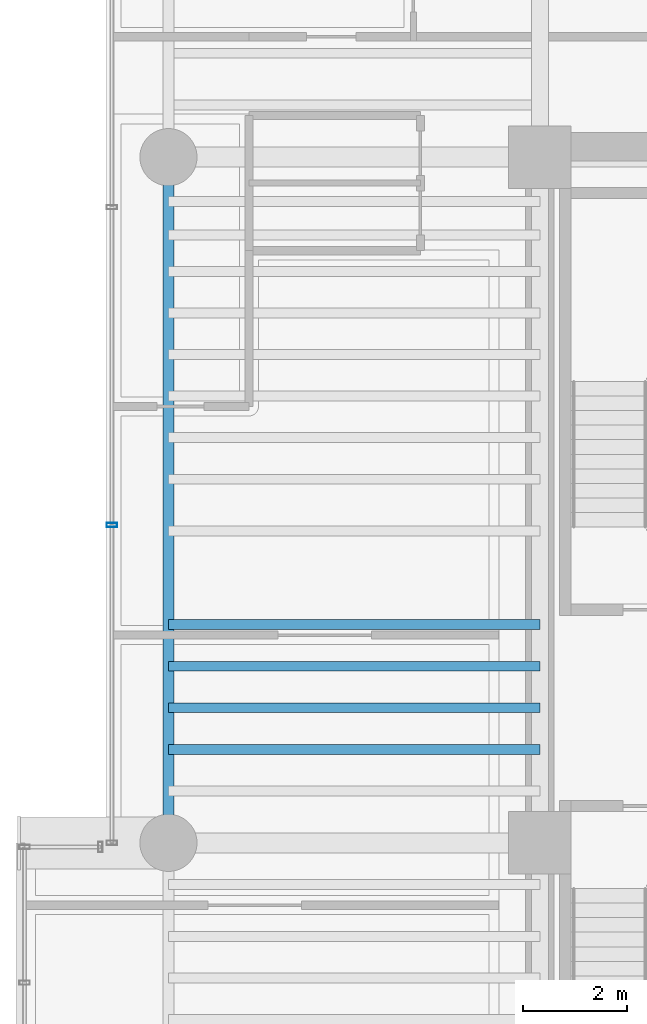
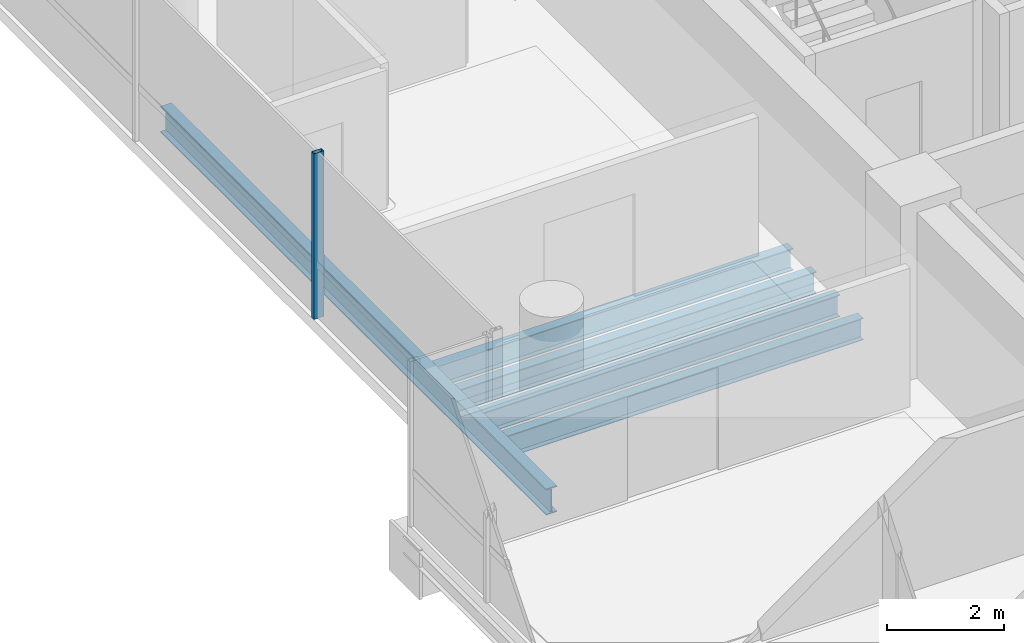
# One storey, part 8 of 34: 5 beams, 1 member, 1 element without a shape of its own.
"""IFC4 building model written with IfcOpenShell, lengths in metres."""

from ifc_helpers import new_model, si_unit, direction, frame, origin, origin_2d, place, context, subcontext, project, spatial, hollow_rectangle, i_section, extrude, source, transform, mapped, material, material_profile, profile_set, type_object, element, aggregate, save


model = new_model("IFC4")

# Units and contexts
model_context = context("Model", 3, precision=1e-05, world=origin(), true_north=direction((0.0, 1.0)))
body_context = subcontext(model_context, "Body", "Model", "MODEL_VIEW")
ifc_project = project(units=[si_unit("LENGTHUNIT", "METRE"), si_unit("AREAUNIT", "SQUARE_METRE"), si_unit("VOLUMEUNIT", "CUBIC_METRE"), si_unit("PLANEANGLEUNIT", "RADIAN"), si_unit("MASSUNIT", "GRAM", prefix="KILO")], contexts=[model_context])

# Site, building, storey
site_placement = place(None, origin())
site = spatial("IfcSite", under=ifc_project, at=site_placement, CompositionType="ELEMENT")
building_placement = place(site_placement, origin())
building = spatial("IfcBuilding", under=site, at=building_placement, Name="Valdorenza Pilgrim Sanctuary Tower", CompositionType="ELEMENT")
storey_placement = place(building_placement, frame((0.0, 0.0, 161.199951171875)))
storey = spatial("IfcBuildingStorey", under=building, at=storey_placement, Name="L41", CompositionType="ELEMENT", Elevation=161.199951171875)

# Beams
ifc_material_1 = material(Name="Steel ASTM A992 Grade 50", Category="steel")
ifc_material_profile_1 = material_profile(ifc_material_1, i_section(OverallWidth=0.214111328125, OverallDepth=0.549072265625, WebThickness=0.0146484375, FlangeThickness=0.023681640625, at=origin_2d()), Name="W21X93")
ifc_profile_set_1 = profile_set([ifc_material_profile_1], Name="Steel ASTM A992 Grade 50")
beam_type_1 = type_object("IfcBeamType", Name="STR-BM-SPN-W21A", PredefinedType="SPANDREL", material=ifc_profile_set_1)
shared_shape_1 = source(origin(), body_context, "Body", "SweptSolid", [
    extrude(i_section(OverallWidth=0.214111328125, OverallDepth=0.549072265625, WebThickness=0.0146484375, FlangeThickness=0.023681640625, at=origin_2d()), origin(), (0.0, 0.0, 1.0), 13.2001953125),
])
beam_placement = place(storey_placement, frame((-29.800048828125, -2.60009765625, -0.514404296875), z_axis=(0.0, 1.0, 0.0), x_axis=(-1.0, 0.0, 0.0)))
element("IfcBeam", 1, at=beam_placement, inside=storey, type_object=beam_type_1, Name="L41 Spandrel Beam WA-W-M0N1", PredefinedType="SPANDREL", context=body_context, shape_type="MappedRepresentation", body=[
    mapped(shared_shape_1, transform((0.0, 0.0, 0.0), x_axis=(1.0, 0.0, 0.0), y_axis=(0.0, 1.0, 0.0), z_axis=(0.0, 0.0, 1.0), scale=1.0)),
])
ifc_material_profile_2 = material_profile(ifc_material_1, i_section(OverallWidth=0.19091796875, OverallDepth=0.45703125, WebThickness=0.009033203125, FlangeThickness=0.014404296875, at=origin_2d()), Name="W18X50")
ifc_profile_set_2 = profile_set([ifc_material_profile_2], Name="Steel ASTM A992 Grade 50")
beam_type_2 = type_object("IfcBeamType", Name="STR-BM-JST-W18B", PredefinedType="JOIST", material=ifc_profile_set_2)
shared_shape_2 = source(origin(), body_context, "Body", "SweptSolid", [
    extrude(i_section(OverallWidth=0.19091796875, OverallDepth=0.45703125, WebThickness=0.009033203125, FlangeThickness=0.014404296875, at=origin_2d()), origin(), (0.0, 0.0, 1.0), 7.150146484375),
])
for number, where, z_axis, x_axis, name in (
    (2, (-29.800048828125, -0.800048828125, -0.468505859375), (1.0, 0.0, 0.0), (0.0, 1.0, 0.0), "L41 Composite Floor Joist JST-WA-11"),
    (3, (-29.800048828125, 0.0, -0.468505859375), (1.0, 0.0, 0.0), (0.0, 1.0, 0.0), "L41 Composite Floor Joist JST-WA-12"),
    (4, (-29.800048828125, 0.800048828125, -0.468505859375), (1.0, 0.0, 0.0), (0.0, 1.0, 0.0), "L41 Composite Floor Joist JST-WA-13"),
    (5, (-29.800048828125, 1.60009765625, -0.468505859375), (1.0, 0.0, 0.0), (0.0, 1.0, 0.0), "L41 Composite Floor Joist JST-WA-14"),
):
    element("IfcBeam", number, at=place(storey_placement, frame(where, z_axis=z_axis, x_axis=x_axis)), inside=storey, type_object=beam_type_2, Name=name, PredefinedType="JOIST", context=body_context, shape_type="MappedRepresentation", body=[
        mapped(shared_shape_2, transform((0.0, 0.0, 0.0), x_axis=(1.0, 0.0, 0.0), y_axis=(0.0, 1.0, 0.0), z_axis=(0.0, 0.0, 1.0), scale=1.0)),
    ])

# Curtain wall, member
ifc_material_2 = material(Name="Curtain-wall IGU glazing", Category="glass")
curtain_wall_type = type_object("IfcCurtainWallType", Name="CW-SYS-02", PredefinedType="NOTDEFINED", material=ifc_material_2)
curtain_wall_placement = place(storey_placement, origin())
curtain_wall = element("IfcCurtainWall", 6, at=curtain_wall_placement, inside=storey, type_object=curtain_wall_type, Name="L41 Curtain Wall CW-L41-1-1S2", PredefinedType="NOTDEFINED")
ifc_material_3 = material(Name="Anodised aluminium AW-6060", Category="aluminium")
ifc_material_profile_3 = material_profile(ifc_material_3, hollow_rectangle(XDim=0.0849609375, YDim=0.199951171875, WallThickness=0.0048828125, at=origin_2d()), Name="ALU-M 200x85x5")
ifc_profile_set_3 = profile_set([ifc_material_profile_3], Name="Anodised aluminium AW-6060")
member_type = type_object("IfcMemberType", Name="CW-MUL-02", PredefinedType="MULLION", material=ifc_profile_set_3)
shared_shape_3 = source(origin(), body_context, "Body", "SweptSolid", [
    extrude(hollow_rectangle(XDim=0.0849609375, YDim=0.199951171875, WallThickness=0.0048828125, at=origin_2d()), origin(), (0.0, 0.0, 1.0), 3.4599609375),
])
member_placement = place(storey_placement, frame((-30.889892578125, 3.51806640625, 0.0), z_axis=(0.0, 0.0, 1.0), x_axis=(0.0, 1.0, 0.0)))
member = element("IfcMember", 7, at=member_placement, type_object=member_type, Name="CW-L41-1-1S2 Mullion 2", PredefinedType="MULLION", context=body_context, shape_type="MappedRepresentation", body=[
    mapped(shared_shape_3, transform((0.0, 0.0, 0.0), x_axis=(1.0, 0.0, 0.0), y_axis=(0.0, 1.0, 0.0), z_axis=(0.0, 0.0, 1.0), scale=1.0)),
])
aggregate(curtain_wall, [member])

save(model, "model.ifc")
